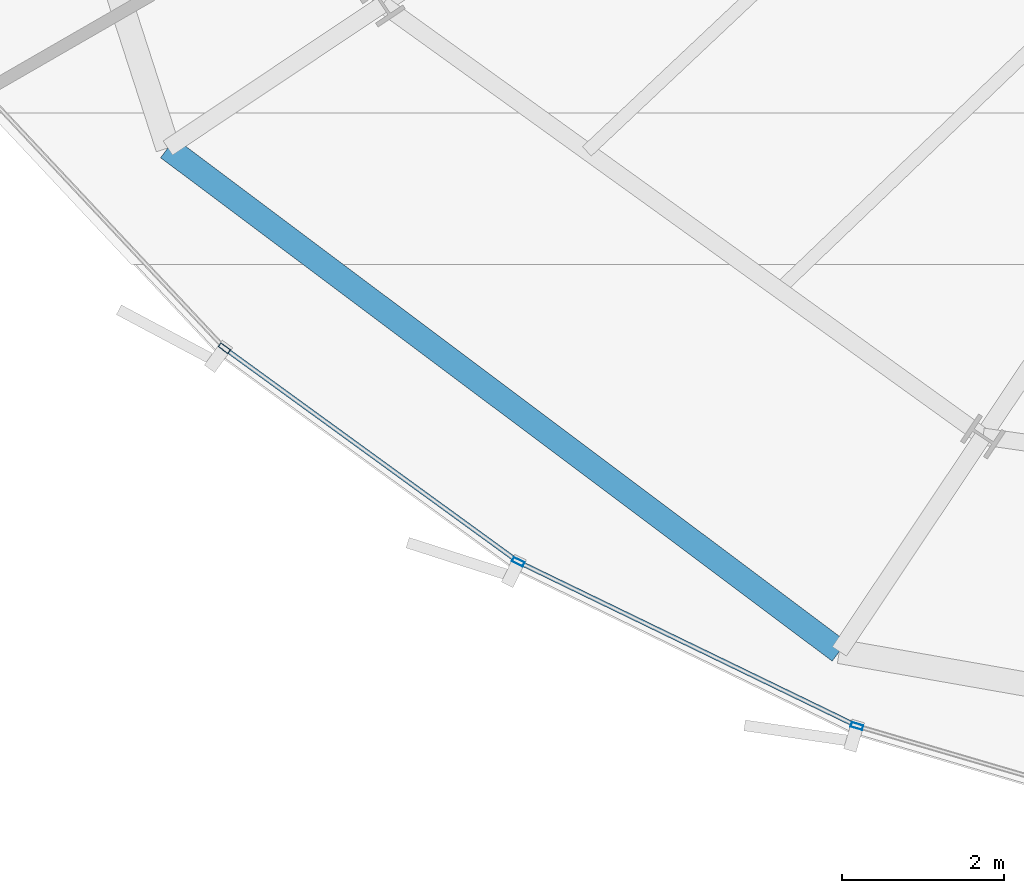
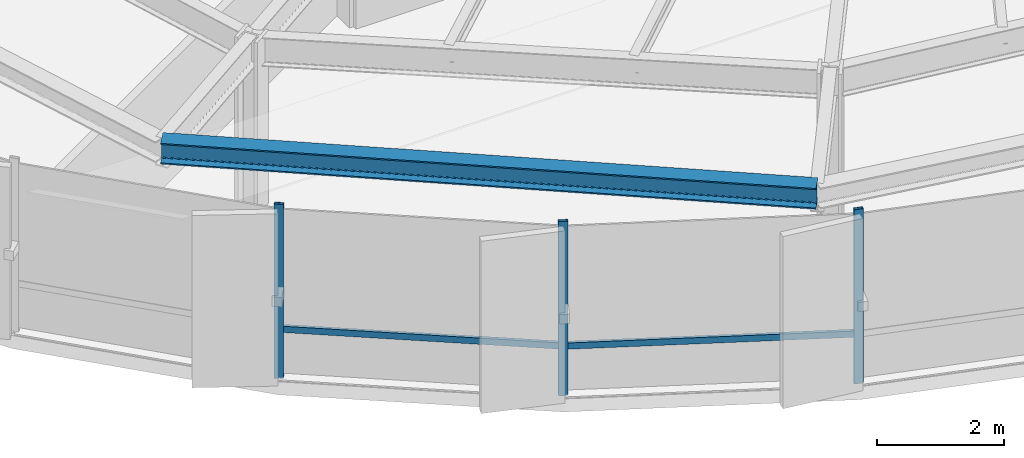
# One storey, part 2 of 35: 5 members, 1 beam, 1 element without a shape of its own.
"""IFC4 building model written with IfcOpenShell, lengths in metres."""

from ifc_helpers import new_model, si_unit, direction, frame, origin, origin_2d, place, context, subcontext, project, spatial, hollow_rectangle, i_section, extrude, source, transform, mapped, material, layer, layer_set, material_profile, profile_set, type_object, element, aggregate, save


model = new_model("IFC4")

# Units and contexts
model_context = context("Model", 3, precision=1e-05, world=origin(), true_north=direction((0.0, 1.0)))
body_context = subcontext(model_context, "Body", "Model", "MODEL_VIEW")
ifc_project = project(units=[si_unit("LENGTHUNIT", "METRE"), si_unit("AREAUNIT", "SQUARE_METRE"), si_unit("VOLUMEUNIT", "CUBIC_METRE"), si_unit("PLANEANGLEUNIT", "RADIAN"), si_unit("MASSUNIT", "GRAM", prefix="KILO"), si_unit("THERMODYNAMICTEMPERATUREUNIT", "KELVIN")], contexts=[model_context])

# Site, building, storey
site_placement = place(None, origin())
site = spatial("IfcSite", under=ifc_project, at=site_placement, CompositionType="ELEMENT")
building_placement = place(site_placement, origin())
building = spatial("IfcBuilding", under=site, at=building_placement, Name="Kethvar Cultural Tower", CompositionType="ELEMENT")
storey_placement = place(building_placement, frame((0.0, 0.0, 89.199951171875)))
storey = spatial("IfcBuildingStorey", under=building, at=storey_placement, Name="L21", CompositionType="ELEMENT", Elevation=89.199951171875)

# Beam
ifc_material_1 = material(Name="Steel S355J2", Category="steel")
ifc_material_profile_1 = material_profile(ifc_material_1, i_section(OverallWidth=0.300048828125, OverallDepth=0.39990234375, WebThickness=0.013427734375, FlangeThickness=0.02392578125, FilletRadius=0.027099609375, at=origin_2d()), Name="Steel S355J2 — HEB400")
ifc_profile_set_1 = profile_set([ifc_material_profile_1], Name="Steel S355J2 — HEB400")
beam_type = type_object("IfcBeamType", Name="BM-SP400", PredefinedType="SPANDREL", material=ifc_profile_set_1)
shared_shape_1 = source(origin(), body_context, "Body", "SweptSolid", [
    extrude(i_section(OverallWidth=0.300048828125, OverallDepth=0.39990234375, WebThickness=0.013427734375, FlangeThickness=0.02392578125, FilletRadius=0.027099609375, at=origin_2d()), origin(), (0.0, 0.0, 1.0), 10.38916015625),
])
beam_placement = place(storey_placement, frame((24.260009765625, 12.7392578125, 3.14794921875), z_axis=(0.800152249906, -0.599796946449, 0.0), x_axis=(0.599796946449, 0.800152249906, 0.0)))
element("IfcBeam", 1, at=beam_placement, inside=storey, type_object=beam_type, Name="L21 Perimeter Spandrel Beam SP-10", PredefinedType="SPANDREL", context=body_context, shape_type="MappedRepresentation", body=[
    mapped(shared_shape_1, transform((0.0, 0.0, 0.0), scale=1.0)),
])

# Curtain wall, members
ifc_material_2 = material(Name="Aluminium 6063-T6", Category="aluminium")
ifc_layer = layer(ifc_material_2, 0.179931640625, Name="Aluminium 6063-T6", Category="aluminium")
ifc_layer_set = layer_set([ifc_layer], Name="Aluminium 6063-T6 (180 mm)")
curtain_wall_type = type_object("IfcCurtainWallType", Name="CW-SYS-03-Z2", PredefinedType="NOTDEFINED", material=ifc_layer_set)
curtain_wall_placement = place(storey_placement, origin())
curtain_wall = element("IfcCurtainWall", 2, at=curtain_wall_placement, inside=storey, type_object=curtain_wall_type, Name="L21 Curtain Wall Run 04", PredefinedType="NOTDEFINED")
ifc_material_profile_2 = material_profile(ifc_material_2, hollow_rectangle(XDim=0.06005859375, YDim=0.14990234375, WallThickness=0.0048828125, at=origin_2d()), Name="Aluminium 6063-T6 — RHS150x60x5")
ifc_profile_set_2 = profile_set([ifc_material_profile_2], Name="Aluminium 6063-T6 — RHS150x60x5")
member_type_1 = type_object("IfcMemberType", Name="CW-SYS-03-Z2-MUL", PredefinedType="MULLION", material=ifc_profile_set_2)
shared_shape_2 = source(origin(), body_context, "Body", "SweptSolid", [
    extrude(hollow_rectangle(XDim=0.06005859375, YDim=0.14990234375, WallThickness=0.0048828125, at=origin_2d()), origin(), (0.0, 0.0, 1.0), 3.35009765625),
])
member_1_placement = place(storey_placement, frame((24.960205078125, 10.26123046875, 0.0), z_axis=(0.0, 0.0, 1.0), x_axis=(0.587757011914, 0.809037511458, 0.0)))
member_1 = element("IfcMember", 3, at=member_1_placement, type_object=member_type_1, Name="CW-L21-R04 Mullion 3", PredefinedType="MULLION", context=body_context, shape_type="MappedRepresentation", body=[
    mapped(shared_shape_2, transform((0.0, 0.0, 0.0), scale=1.0)),
])
member_2_placement = place(storey_placement, frame((28.597900390625, 7.6162109375, 0.0), z_axis=(0.0, 0.0, 1.0), x_axis=(0.435922366151, 0.899984272468, 0.0)))
member_2 = element("IfcMember", 4, at=member_2_placement, type_object=member_type_1, Name="CW-L21-R04 Mullion 4", PredefinedType="MULLION", context=body_context, shape_type="MappedRepresentation", body=[
    mapped(shared_shape_2, transform((0.0, 0.0, 0.0), scale=1.0)),
])
member_3_placement = place(storey_placement, frame((32.790283203125, 5.583740234375, 0.0), z_axis=(0.0, 0.0, 1.0), x_axis=(0.281604673415, 0.95953051432, 0.0)))
member_3 = element("IfcMember", 5, at=member_3_placement, type_object=member_type_1, Name="CW-L21-R04 Mullion 5", PredefinedType="MULLION", context=body_context, shape_type="MappedRepresentation", body=[
    mapped(shared_shape_2, transform((0.0, 0.0, 0.0), scale=1.0)),
])
ifc_material_profile_3 = material_profile(ifc_material_2, hollow_rectangle(XDim=0.054931640625, YDim=0.1201171875, WallThickness=0.00390625, at=origin_2d()), Name="Aluminium 6063-T6 — RHS120x55x4")
ifc_profile_set_3 = profile_set([ifc_material_profile_3], Name="Aluminium 6063-T6 — RHS120x55x4")
member_type_2 = type_object("IfcMemberType", Name="CW-SYS-03-Z2-TRN", PredefinedType="USERDEFINED", material=ifc_profile_set_3)
shared_shape_3 = source(origin(), body_context, "Body", "SweptSolid", [
    extrude(hollow_rectangle(XDim=0.054931640625, YDim=0.1201171875, WallThickness=0.00390625, at=origin_2d()), origin(), (0.0, 0.0, 1.0), 4.431640625),
])
member_4_placement = place(storey_placement, frame((24.9951171875, 10.23583984375, 0.949951171875), z_axis=(0.809043283568, -0.58774906662, 0.0), x_axis=(0.58774906662, 0.809043283568, 0.0)))
member_4 = element("IfcMember", 6, at=member_4_placement, type_object=member_type_2, Name="CW-L21-R04 Transom 3", ObjectType="TRANSOM", PredefinedType="USERDEFINED", context=body_context, shape_type="MappedRepresentation", body=[
    mapped(shared_shape_3, transform((0.0, 0.0, 0.0), scale=1.0)),
])
shared_shape_4 = source(origin(), body_context, "Body", "SweptSolid", [
    extrude(hollow_rectangle(XDim=0.054931640625, YDim=0.1201171875, WallThickness=0.00390625, at=origin_2d()), origin(), (0.0, 0.0, 1.0), 4.591552734375),
])
member_5_placement = place(storey_placement, frame((28.636962890625, 7.597412109375, 0.949951171875), z_axis=(0.899971545273, -0.435948641126, 0.0), x_axis=(0.435948641126, 0.899971545273, 0.0)))
member_5 = element("IfcMember", 7, at=member_5_placement, type_object=member_type_2, Name="CW-L21-R04 Transom 4", ObjectType="TRANSOM", PredefinedType="USERDEFINED", context=body_context, shape_type="MappedRepresentation", body=[
    mapped(shared_shape_4, transform((0.0, 0.0, 0.0), scale=1.0)),
])
aggregate(curtain_wall, [member_1, member_2, member_3, member_4, member_5])

save(model, "model.ifc")
